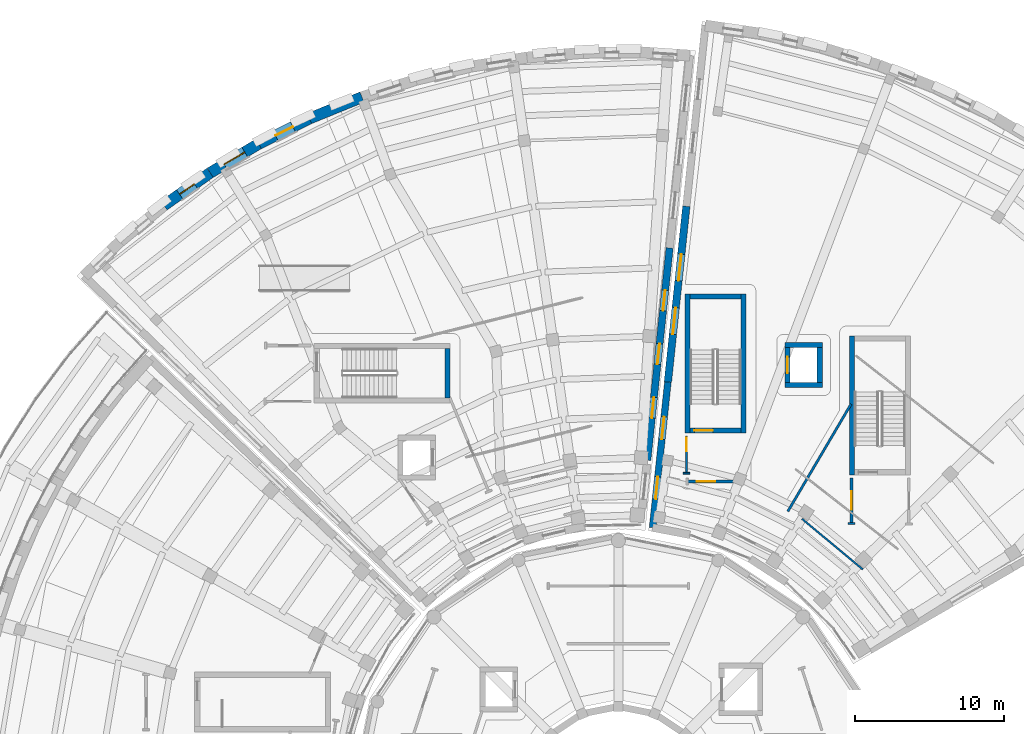
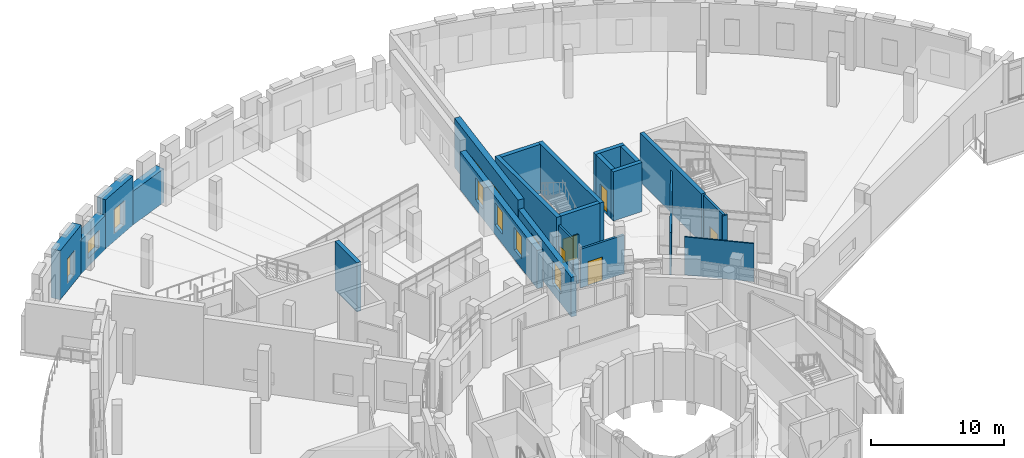
# One storey, part 56 of 75: 24 walls, 10 windows, 5 doors, 15 openings.
"""IFC4 building model written with IfcOpenShell, lengths in metres."""

from ifc_helpers import new_model, si_unit, direction, frame, frame_2d, origin, place, context, subcontext, project, spatial, rectangle, extrude, material, layer, layer_set, type_object, element, fill, save


model = new_model("IFC4")

# Units and contexts
model_context = context("Model", 3, precision=1e-05, world=origin(), true_north=direction((0.0, 1.0)))
body_context = subcontext(model_context, "Body", "Model", "MODEL_VIEW")
ifc_project = project(units=[si_unit("LENGTHUNIT", "METRE"), si_unit("AREAUNIT", "SQUARE_METRE"), si_unit("VOLUMEUNIT", "CUBIC_METRE"), si_unit("PLANEANGLEUNIT", "RADIAN"), si_unit("MASSUNIT", "GRAM", prefix="KILO")], contexts=[model_context])

# Site, building, storey
site_placement = place(None, origin())
site = spatial("IfcSite", under=ifc_project, at=site_placement, CompositionType="ELEMENT")
building_placement = place(site_placement, origin())
building = spatial("IfcBuilding", under=site, at=building_placement, Name="Soyqirgoq Riverine Aquarium", CompositionType="ELEMENT")
storey_placement = place(building_placement, frame((0.0, 0.0, 10.199951171875)))
storey = spatial("IfcBuildingStorey", under=building, at=storey_placement, Name="L03", CompositionType="ELEMENT", Elevation=10.199951171875)

# Walls
ifc_material_1 = material(Name="Concrete C40/50", Category="concrete")
ifc_layer_1 = layer(ifc_material_1, 0.35009765625)
ifc_layer_set_1 = layer_set([ifc_layer_1], Name="Concrete C40/50")
wall_type_1 = type_object("IfcWallType", Name="CoreShearWall_350_C40", PredefinedType="SHEAR", material=ifc_layer_set_1)
wall_1_placement = place(storey_placement, frame((44.574951171875, 84.0, 0.0), z_axis=(0.0, 0.0, 1.0), x_axis=(0.0, 1.0, 0.0)))
element("IfcWall", 1, at=wall_1_placement, inside=storey, type_object=wall_type_1, Name="CORE-4 L03 Stair Core Shear Wall BACK", PredefinedType="SHEAR", context=body_context, shape_type="SweptSolid", body=[
    extrude(rectangle(XDim=3.300048828125, YDim=0.35009765625, at=frame_2d((1.64990234375, 0.0))), origin(), (0.0, 0.0, 1.0), 4.52001953125),
])
wall_2_placement = place(storey_placement, frame((64.375, 81.64990234375, 0.0), z_axis=(0.0, 0.0, 1.0), x_axis=(0.0, 1.0, 0.0)))
element("IfcWall", 2, at=wall_2_placement, inside=storey, type_object=wall_type_1, Name="CORE-5A L03 Stair Core Shear Wall SIDE1", PredefinedType="SHEAR", context=body_context, shape_type="SweptSolid", body=[
    extrude(rectangle(XDim=9.300048828125, YDim=0.35009765625, at=frame_2d((4.64990234375, 0.0))), origin(), (0.0, 0.0, 1.0), 4.52001953125),
])
wall_3_placement = place(storey_placement, frame((64.199951171875, 90.77490234375, 0.0), z_axis=(0.0, 0.0, 1.0), x_axis=(-1.0, 0.0, 0.0)))
element("IfcWall", 3, at=wall_3_placement, inside=storey, type_object=wall_type_1, Name="CORE-5A L03 Stair Core Shear Wall BACK", PredefinedType="SHEAR", context=body_context, shape_type="SweptSolid", body=[
    extrude(rectangle(XDim=3.39990234375, YDim=0.35009765625, at=frame_2d((1.699951171875, 0.0))), origin(), (0.0, 0.0, 1.0), 4.52001953125),
])
wall_4_placement = place(storey_placement, frame((60.625, 90.949951171875, 0.0), z_axis=(0.0, 0.0, 1.0), x_axis=(0.0, -1.0, 0.0)))
element("IfcWall", 4, at=wall_4_placement, inside=storey, type_object=wall_type_1, Name="CORE-5A L03 Stair Core Shear Wall SIDE2", PredefinedType="SHEAR", context=body_context, shape_type="SweptSolid", body=[
    extrude(rectangle(XDim=9.300048828125, YDim=0.35009765625, at=frame_2d((4.64990234375, 0.0))), origin(), (0.0, 0.0, 1.0), 4.52001953125),
])

# Wall, opening, door
wall_5_placement = place(storey_placement, frame((60.800048828125, 81.824951171875, 0.0), z_axis=(0.0, 0.0, 1.0), x_axis=(1.0, 0.0, 0.0)))
wall_5 = element("IfcWall", 5, at=wall_5_placement, inside=storey, type_object=wall_type_1, Name="CORE-5A L03 Stair Core Shear Wall FRONT", PredefinedType="SHEAR", context=body_context, shape_type="SweptSolid", body=[
    extrude(rectangle(XDim=3.39990234375, YDim=0.35009765625, at=frame_2d((1.699951171875, 0.0))), origin(), (0.0, 0.0, 1.0), 4.52001953125),
])
opening_1_placement = place(wall_5_placement, frame((0.280029296875, 0.0, 0.0)))
opening_1 = element("IfcOpeningElement", 6, at=opening_1_placement, cuts=wall_5, Name="Opening FD-01", PredefinedType="OPENING", context=body_context, shape_type="SweptSolid", body=[
    extrude(rectangle(XDim=1.25, YDim=2.199951171875, at=frame_2d((0.625, 1.10009765625))), frame((0.0, 0.18505859375, 0.0), z_axis=(0.0, -1.0, 0.0), x_axis=(1.0, 0.0, 0.0)), (0.0, 0.0, 1.0), 0.3701171875),
])
ifc_material_2 = material(Name="Galvanised steel fire-resisting stair door", Category="steel")
door_type_1 = type_object("IfcDoorType", Name="StairFireDoor_1250x2200_EI90", OperationType="NOTDEFINED", PredefinedType="DOOR", material=ifc_material_2)
door_1_placement = place(opening_1_placement, origin())
door_1 = element("IfcDoor", 7, at=door_1_placement, inside=storey, type_object=door_type_1, Name="DR-ST-5-L03 ST-5 L03 Fire-Rated Stairwell Door", OperationType="SINGLE_SWING_RIGHT", OverallHeight=2.199951171875, OverallWidth=1.25, PredefinedType="DOOR", context=body_context, shape_type="SweptSolid", body=[
    extrude(rectangle(XDim=1.25, YDim=2.199951171875, at=frame_2d((0.625, 1.10009765625))), frame((0.0, 0.02490234375, 0.0), z_axis=(0.0, -1.0, 0.0), x_axis=(1.0, 0.0, 0.0)), (0.0, 0.0, 1.0), 0.050048828125),
])
fill(opening_1, door_1)

# Walls
wall_6_placement = place(storey_placement, frame((67.14501953125, 84.8701171875, 0.0), z_axis=(0.0, 0.0, 1.0), x_axis=(1.0, 0.0, 0.0)))
element("IfcWall", 8, at=wall_6_placement, inside=storey, type_object=wall_type_1, Name="Lift PL-5 Shaft Wall L03 1", PredefinedType="SHEAR", context=body_context, shape_type="SweptSolid", body=[
    extrude(rectangle(XDim=2.510009765625, YDim=0.35009765625, at=frame_2d((1.2548828125, 0.0))), origin(), (0.0, 0.0, 1.0), 4.52001953125),
])
wall_7_placement = place(storey_placement, frame((69.47998046875, 85.044921875, 0.0), z_axis=(0.0, 0.0, 1.0), x_axis=(0.0, 1.0, 0.0)))
element("IfcWall", 9, at=wall_7_placement, inside=storey, type_object=wall_type_1, Name="Lift PL-5 Shaft Wall L03 2", PredefinedType="SHEAR", context=body_context, shape_type="SweptSolid", body=[
    extrude(rectangle(XDim=2.31005859375, YDim=0.35009765625, at=frame_2d((1.155029296875, 0.0))), origin(), (0.0, 0.0, 1.0), 4.52001953125),
])
wall_8_placement = place(storey_placement, frame((69.655029296875, 87.530029296875, 0.0), z_axis=(0.0, 0.0, 1.0), x_axis=(-1.0, 0.0, 0.0)))
element("IfcWall", 10, at=wall_8_placement, inside=storey, type_object=wall_type_1, Name="Lift PL-5 Shaft Wall L03 3", PredefinedType="SHEAR", context=body_context, shape_type="SweptSolid", body=[
    extrude(rectangle(XDim=2.510009765625, YDim=0.35009765625, at=frame_2d((1.2548828125, 0.0))), origin(), (0.0, 0.0, 1.0), 4.52001953125),
])

# Wall, opening, door
wall_9_placement = place(storey_placement, frame((67.320068359375, 87.35498046875, 0.0), z_axis=(0.0, 0.0, 1.0), x_axis=(0.0, -1.0, 0.0)))
wall_9 = element("IfcWall", 11, at=wall_9_placement, inside=storey, type_object=wall_type_1, Name="Lift PL-5 Shaft Wall L03 4", PredefinedType="SHEAR", context=body_context, shape_type="SweptSolid", body=[
    extrude(rectangle(XDim=2.31005859375, YDim=0.35009765625, at=frame_2d((1.155029296875, 0.0))), origin(), (0.0, 0.0, 1.0), 4.52001953125),
])
opening_2_placement = place(wall_9_placement, frame((0.60498046875, 0.0, 0.0)))
opening_2 = element("IfcOpeningElement", 12, at=opening_2_placement, cuts=wall_9, Name="Opening LD-01", PredefinedType="OPENING", context=body_context, shape_type="SweptSolid", body=[
    extrude(rectangle(XDim=1.10009765625, YDim=2.199951171875, at=frame_2d((0.550048828125, 1.10009765625))), frame((0.0, 0.18505859375, 0.0), z_axis=(0.0, -1.0, 0.0), x_axis=(1.0, 0.0, 0.0)), (0.0, 0.0, 1.0), 0.3701171875),
])
ifc_material_3 = material(Name="Brushed stainless steel telescopic lift landing door", Category="steel")
door_type_2 = type_object("IfcDoorType", Name="LiftLandingDoor_1100x2200", OperationType="SLIDING_TO_LEFT", PredefinedType="DOOR", material=ifc_material_3)
door_2_placement = place(opening_2_placement, origin())
door_2 = element("IfcDoor", 13, at=door_2_placement, inside=storey, type_object=door_type_2, Name="LD-PL-5-L03 Lift PL-5 L03 Sliding Landing Door", OperationType="SLIDING_TO_LEFT", OverallHeight=2.199951171875, OverallWidth=1.10009765625, PredefinedType="DOOR", context=body_context, shape_type="SweptSolid", body=[
    extrude(rectangle(XDim=1.10009765625, YDim=2.199951171875, at=frame_2d((0.550048828125, 1.10009765625))), frame((0.0, 0.02490234375, 0.0), z_axis=(0.0, -1.0, 0.0), x_axis=(1.0, 0.0, 0.0)), (0.0, 0.0, 1.0), 0.050048828125),
])
fill(opening_2, door_2)

# Walls
wall_10_placement = place(storey_placement, frame((71.625, 88.14990234375, 0.0), z_axis=(0.0, 0.0, 1.0), x_axis=(0.0, -1.0, 0.0)))
element("IfcWall", 14, at=wall_10_placement, inside=storey, type_object=wall_type_1, Name="CORE-5B L03 Stair Core Shear Wall SIDE2", PredefinedType="SHEAR", context=body_context, shape_type="SweptSolid", body=[
    extrude(rectangle(XDim=9.2998046875, YDim=0.35009765625, at=frame_2d((4.64990234375, 0.0))), origin(), (0.0, 0.0, 1.0), 4.52001953125),
])
ifc_material_4 = material(Name="Lightweight steel-stud gypsum partition", Category="steel")
ifc_layer_2 = layer(ifc_material_4, 0.1201171875)
ifc_layer_set_2 = layer_set([ifc_layer_2], Name="Lightweight steel-stud gypsum partition")
wall_type_2 = type_object("IfcWallType", Name="PartitionWall_120_Std", PredefinedType="PARTITIONING", material=ifc_layer_set_2)
wall_11_placement = place(storey_placement, frame((72.357177734375, 72.5224609375, 0.0), z_axis=(0.0, 0.0, 1.0), x_axis=(-0.768847565949, 0.639432107682, 0.0)))
element("IfcWall", 15, at=wall_11_placement, inside=storey, type_object=wall_type_2, Name="V5 Gallery Circulation Corridor Partition Wall", PredefinedType="PARTITIONING", context=body_context, shape_type="SweptSolid", body=[
    extrude(rectangle(XDim=5.301025390625, YDim=0.1201171875, at=frame_2d((2.650390625, 0.0))), origin(), (0.0, 0.0, 1.0), 3.510009765625),
])
wall_12_placement = place(storey_placement, frame((71.3798828125, 75.60009765625, 0.0), z_axis=(0.0, 0.0, 1.0), x_axis=(1.0, 0.0, 0.0)))
element("IfcWall", 16, at=wall_12_placement, inside=storey, type_object=wall_type_2, Name="V5 L03 Jamb Return Pier", PredefinedType="PARTITIONING", context=body_context, shape_type="SweptSolid", body=[
    extrude(rectangle(XDim=0.440185546875, YDim=0.1201171875, at=frame_2d((0.22021484375, 0.0))), origin(), (0.0, 0.0, 1.0), 4.52001953125),
])
wall_13_placement = place(storey_placement, frame((60.780029296875, 78.958740234375, 0.0), z_axis=(0.0, 0.0, 1.0), x_axis=(-1.0, 0.0, 0.0)))
element("IfcWall", 17, at=wall_13_placement, inside=storey, type_object=wall_type_2, Name="V5 L03 Jamb Return Pier", PredefinedType="PARTITIONING", context=body_context, shape_type="SweptSolid", body=[
    extrude(rectangle(XDim=0.43994140625, YDim=0.1201171875, at=frame_2d((0.219970703125, 0.0))), origin(), (0.0, 0.0, 1.0), 4.52001953125),
])

# Wall, opening, door
ifc_material_5 = material(Name="Fire-rated acoustic gypsum stud partition", Category="gypsum")
ifc_layer_3 = layer(ifc_material_5, 0.159912109375)
ifc_layer_set_3 = layer_set([ifc_layer_3], Name="Fire-rated acoustic gypsum stud partition")
wall_type_3 = type_object("IfcWallType", Name="PartitionWall_160_EI60", PredefinedType="PARTITIONING", material=ifc_layer_set_3)
wall_14_placement = place(storey_placement, frame((60.56005859375, 78.958740234375, 0.0), z_axis=(0.0, 0.0, 1.0), x_axis=(0.0, 1.0, 0.0)))
wall_14 = element("IfcWall", 18, at=wall_14_placement, inside=storey, type_object=wall_type_3, Name="Ichthyology Taxonomy Laboratory Partition Wall", PredefinedType="PARTITIONING", context=body_context, shape_type="SweptSolid", body=[
    extrude(rectangle(XDim=2.4912109375, YDim=0.159912109375, at=frame_2d((1.24560546875, 0.0))), origin(), (0.0, 0.0, 1.0), 3.91015625),
])
opening_3_placement = place(wall_14_placement, frame((1.4638671875, 0.0, 0.0)))
opening_3 = element("IfcOpeningElement", 19, at=opening_3_placement, cuts=wall_14, Name="Opening RD-01", PredefinedType="OPENING", context=body_context, shape_type="SweptSolid", body=[
    extrude(rectangle(XDim=0.89990234375, YDim=2.10009765625, at=frame_2d((0.449951171875, 1.050048828125))), frame((0.0, 0.08984375, 0.0), z_axis=(0.0, -1.0, 0.0), x_axis=(1.0, 0.0, 0.0)), (0.0, 0.0, 1.0), 0.179931640625),
])
ifc_material_6 = material(Name="Flush steel service riser fire door", Category="steel")
door_type_3 = type_object("IfcDoorType", Name="RiserAccessDoor_900x2100_EI60", OperationType="NOTDEFINED", PredefinedType="DOOR", material=ifc_material_6)
door_3_placement = place(opening_3_placement, origin())
door_3 = element("IfcDoor", 20, at=door_3_placement, inside=storey, type_object=door_type_3, Name="IDR-V5-L03-0153 Ichthyology Taxonomy Laboratory Door", OperationType="SINGLE_SWING_LEFT", OverallHeight=2.10009765625, OverallWidth=0.89990234375, PredefinedType="DOOR", context=body_context, shape_type="SweptSolid", body=[
    extrude(rectangle(XDim=0.89990234375, YDim=2.10009765625, at=frame_2d((0.449951171875, 1.050048828125))), frame((0.0, 0.02490234375, 0.0), z_axis=(0.0, -1.0, 0.0), x_axis=(1.0, 0.0, 0.0)), (0.0, 0.0, 1.0), 0.050048828125),
])
fill(opening_3, door_3)

# Wall
wall_15_placement = place(storey_placement, frame((67.34033203125, 76.40966796875, 0.0), z_axis=(0.0, 0.0, 1.0), x_axis=(0.507554651223, 0.861619565714, 0.0)))
element("IfcWall", 21, at=wall_15_placement, inside=storey, type_object=wall_type_3, Name="Ichthyology Taxonomy Laboratory Partition Wall", PredefinedType="PARTITIONING", context=body_context, shape_type="SweptSolid", body=[
    extrude(rectangle(XDim=8.322021484375, YDim=0.159912109375, at=frame_2d((4.1611328125, 0.0))), origin(), (0.0, 0.0, 1.0), 3.91015625),
])

# Wall, opening, door
ifc_material_7 = material(Name="Fire-rated calcium silicate twin-stud partition", Category="gypsum")
ifc_layer_4 = layer(ifc_material_7, 0.199951171875)
ifc_layer_set_4 = layer_set([ifc_layer_4], Name="Fire-rated calcium silicate twin-stud partition")
wall_type_4 = type_object("IfcWallType", Name="PartitionWall_200_EI90", PredefinedType="PARTITIONING", material=ifc_layer_set_4)
wall_16_placement = place(storey_placement, frame((60.60009765625, 78.39990234375, 0.0), z_axis=(0.0, 0.0, 1.0), x_axis=(1.0, 0.0, 0.0)))
wall_16 = element("IfcWall", 22, at=wall_16_placement, inside=storey, type_object=wall_type_4, Name="Lift and Stair Lobby ST-5 Fire Enclosure Wall", PredefinedType="PARTITIONING", context=body_context, shape_type="SweptSolid", body=[
    extrude(rectangle(XDim=3.7998046875, YDim=0.199951171875, at=frame_2d((1.89990234375, 0.0))), origin(), (0.0, 0.0, 1.0), 3.56005859375),
])
opening_4_placement = place(wall_16_placement, frame((0.637451171875, 0.0, 0.0)))
opening_4 = element("IfcOpeningElement", 23, at=opening_4_placement, cuts=wall_16, Name="Opening FD-01", PredefinedType="OPENING", context=body_context, shape_type="SweptSolid", body=[
    extrude(rectangle(XDim=1.25, YDim=2.199951171875, at=frame_2d((0.625, 1.10009765625))), frame((0.0, 0.10986328125, 0.0), z_axis=(0.0, -1.0, 0.0), x_axis=(1.0, 0.0, 0.0)), (0.0, 0.0, 1.0), 0.219970703125),
])
door_4_placement = place(opening_4_placement, origin())
door_4 = element("IfcDoor", 24, at=door_4_placement, inside=storey, type_object=door_type_1, Name="IDR-V5-L03-0150 Lift and Stair Lobby ST-5 Egress Fire Door", OperationType="SINGLE_SWING_LEFT", OverallHeight=2.199951171875, OverallWidth=1.25, PredefinedType="DOOR", context=body_context, shape_type="SweptSolid", body=[
    extrude(rectangle(XDim=1.25, YDim=2.199951171875, at=frame_2d((0.625, 1.10009765625))), frame((0.0, 0.02490234375, 0.0), z_axis=(0.0, -1.0, 0.0), x_axis=(1.0, 0.0, 0.0)), (0.0, 0.0, 1.0), 0.050048828125),
])
fill(opening_4, door_4)

wall_17_placement = place(storey_placement, frame((71.60009765625, 78.64990234375, 0.0), z_axis=(0.0, 0.0, 1.0), x_axis=(0.0, -1.0, 0.0)))
wall_17 = element("IfcWall", 25, at=wall_17_placement, inside=storey, type_object=wall_type_4, Name="Lift and Stair Lobby ST-6 Fire Enclosure Wall", PredefinedType="PARTITIONING", context=body_context, shape_type="SweptSolid", body=[
    extrude(rectangle(XDim=3.0498046875, YDim=0.199951171875, at=frame_2d((1.52490234375, 0.0))), origin(), (0.0, 0.0, 1.0), 4.52001953125),
])
opening_5_placement = place(wall_17_placement, frame((0.89990234375, 0.0, 0.0)))
opening_5 = element("IfcOpeningElement", 26, at=opening_5_placement, cuts=wall_17, Name="Opening FD-01", PredefinedType="OPENING", context=body_context, shape_type="SweptSolid", body=[
    extrude(rectangle(XDim=1.25, YDim=2.199951171875, at=frame_2d((0.625, 1.10009765625))), frame((0.0, 0.10986328125, 0.0), z_axis=(0.0, -1.0, 0.0), x_axis=(1.0, 0.0, 0.0)), (0.0, 0.0, 1.0), 0.219970703125),
])
door_5_placement = place(opening_5_placement, origin())
door_5 = element("IfcDoor", 27, at=door_5_placement, inside=storey, type_object=door_type_1, Name="IDR-V5-L03-0151 Lift and Stair Lobby ST-6 Egress Fire Door", OperationType="SINGLE_SWING_LEFT", OverallHeight=2.199951171875, OverallWidth=1.25, PredefinedType="DOOR", context=body_context, shape_type="SweptSolid", body=[
    extrude(rectangle(XDim=1.25, YDim=2.199951171875, at=frame_2d((0.625, 1.10009765625))), frame((0.0, 0.02490234375, 0.0), z_axis=(0.0, -1.0, 0.0), x_axis=(1.0, 0.0, 0.0)), (0.0, 0.0, 1.0), 0.050048828125),
])
fill(opening_5, door_5)

# Wall, openings, windows
ifc_material_8 = material(Name="Honed travertine limestone cavity wall", Category="masonry")
ifc_layer_5 = layer(ifc_material_8, 0.449951171875)
ifc_layer_set_5 = layer_set([ifc_layer_5], Name="Honed travertine limestone cavity wall")
wall_type_5 = type_object("IfcWallType", Name="TravertineCavityWall_450", PredefinedType="SOLIDWALL", material=ifc_layer_set_5)
wall_18_placement = place(storey_placement, frame((58.287353515625, 75.3173828125, 0.0), z_axis=(0.0, 0.0, 1.0), x_axis=(0.104523915148, 0.994522373384, 0.0)))
wall_18 = element("IfcWall", 28, at=wall_18_placement, inside=storey, type_object=wall_type_5, Name="V5 L03 Exterior Travertine Wall 0283", PredefinedType="SOLIDWALL", context=body_context, shape_type="SweptSolid", body=[
    extrude(rectangle(XDim=9.796142578125, YDim=0.449951171875, at=frame_2d((4.89794921875, 0.0))), origin(), (0.0, 0.0, 1.0), 3.66015625),
])
opening_6_placement = place(wall_18_placement, frame((1.927978515625, 0.0, 0.89990234375)))
opening_6 = element("IfcOpeningElement", 29, at=opening_6_placement, cuts=wall_18, Name="Opening WN-04", PredefinedType="OPENING", context=body_context, shape_type="SweptSolid", body=[
    extrude(rectangle(XDim=1.5, YDim=2.10009765625, at=frame_2d((0.75, 1.050048828125))), frame((0.0, 0.23486328125, 0.0), z_axis=(0.0, -1.0, 0.0), x_axis=(1.0, 0.0, 0.0)), (0.0, 0.0, 1.0), 0.469970703125),
])
opening_7_placement = place(wall_18_placement, frame((5.947998046875, 0.0, 0.89990234375)))
opening_7 = element("IfcOpeningElement", 30, at=opening_7_placement, cuts=wall_18, Name="Opening WN-04", PredefinedType="OPENING", context=body_context, shape_type="SweptSolid", body=[
    extrude(rectangle(XDim=1.5, YDim=2.10009765625, at=frame_2d((0.75, 1.050048828125))), frame((0.0, 0.23486328125, 0.0), z_axis=(0.0, -1.0, 0.0), x_axis=(1.0, 0.0, 0.0)), (0.0, 0.0, 1.0), 0.469970703125),
])
ifc_material_9 = material(Name="Thermally broken aluminium triple low-E window", Category="aluminium")
window_type_1 = type_object("IfcWindowType", Name="Win_Gallery_1500x2100", PartitioningType="DOUBLE_PANEL_VERTICAL", PredefinedType="WINDOW", material=ifc_material_9)
window_1_placement = place(opening_6_placement, origin())
window_1 = element("IfcWindow", 31, at=window_1_placement, inside=storey, type_object=window_type_1, Name="V5 L03 Facade Window 0225", OverallHeight=2.10009765625, OverallWidth=1.5, PartitioningType="DOUBLE_PANEL_VERTICAL", PredefinedType="WINDOW", context=body_context, shape_type="SweptSolid", body=[
    extrude(rectangle(XDim=1.5, YDim=2.10009765625, at=frame_2d((0.75, 1.050048828125))), frame((0.0, 0.030029296875, 0.0), z_axis=(0.0, -1.0, 0.0), x_axis=(1.0, 0.0, 0.0)), (0.0, 0.0, 1.0), 0.06005859375),
])
fill(opening_6, window_1)
window_2_placement = place(opening_7_placement, origin())
window_2 = element("IfcWindow", 32, at=window_2_placement, inside=storey, type_object=window_type_1, Name="V5 L03 Facade Window 0226", OverallHeight=2.10009765625, OverallWidth=1.5, PartitioningType="DOUBLE_PANEL_VERTICAL", PredefinedType="WINDOW", context=body_context, shape_type="SweptSolid", body=[
    extrude(rectangle(XDim=1.5, YDim=2.10009765625, at=frame_2d((0.75, 1.050048828125))), frame((0.0, 0.030029296875, 0.0), z_axis=(0.0, -1.0, 0.0), x_axis=(1.0, 0.0, 0.0)), (0.0, 0.0, 1.0), 0.06005859375),
])
fill(opening_7, window_2)

ifc_material_10 = material(Name="Honed travertine limestone cavity wall", Category="masonry")
ifc_layer_6 = layer(ifc_material_10, 0.47998046875)
ifc_layer_set_6 = layer_set([ifc_layer_6], Name="Honed travertine limestone cavity wall")
wall_type_6 = type_object("IfcWallType", Name="TravertineCavityWall_480", PredefinedType="SOLIDWALL", material=ifc_layer_set_6)
wall_19_placement = place(storey_placement, frame((59.429443359375, 94.029296875, 0.0), z_axis=(0.0, 0.0, 1.0), x_axis=(-0.104535162797, -0.994521191197, 0.0)))
wall_19 = element("IfcWall", 33, at=wall_19_placement, inside=storey, type_object=wall_type_6, Name="V4 L03 Exterior Travertine Wall 0215", PredefinedType="SOLIDWALL", context=body_context, shape_type="SweptSolid", body=[
    extrude(rectangle(XDim=14.269775390625, YDim=0.47998046875, at=frame_2d((7.134765625, 0.0))), origin(), (0.0, 0.0, 1.0), 3.510009765625),
])
opening_8_placement = place(wall_19_placement, frame((2.834716796875, 0.0, 0.89990234375)))
opening_8 = element("IfcOpeningElement", 34, at=opening_8_placement, cuts=wall_19, Name="Opening WN-20", PredefinedType="OPENING", context=body_context, shape_type="SweptSolid", body=[
    extrude(rectangle(XDim=1.39990234375, YDim=2.050048828125, at=frame_2d((0.699951171875, 1.02490234375))), frame((0.0, 0.25, 0.0), z_axis=(0.0, -1.0, 0.0), x_axis=(1.0, 0.0, 0.0)), (0.0, 0.0, 1.0), 0.5),
])
opening_9_placement = place(wall_19_placement, frame((6.434814453125, 0.0, 0.89990234375)))
opening_9 = element("IfcOpeningElement", 35, at=opening_9_placement, cuts=wall_19, Name="Opening WN-20", PredefinedType="OPENING", context=body_context, shape_type="SweptSolid", body=[
    extrude(rectangle(XDim=1.39990234375, YDim=2.050048828125, at=frame_2d((0.699951171875, 1.02490234375))), frame((0.0, 0.25, 0.0), z_axis=(0.0, -1.0, 0.0), x_axis=(1.0, 0.0, 0.0)), (0.0, 0.0, 1.0), 0.5),
])
opening_10_placement = place(wall_19_placement, frame((10.034912109375, 0.0, 0.89990234375)))
opening_10 = element("IfcOpeningElement", 36, at=opening_10_placement, cuts=wall_19, Name="Opening WN-20", PredefinedType="OPENING", context=body_context, shape_type="SweptSolid", body=[
    extrude(rectangle(XDim=1.39990234375, YDim=2.050048828125, at=frame_2d((0.699951171875, 1.02490234375))), frame((0.0, 0.25, 0.0), z_axis=(0.0, -1.0, 0.0), x_axis=(1.0, 0.0, 0.0)), (0.0, 0.0, 1.0), 0.5),
])
ifc_material_11 = material(Name="Thermally broken aluminium triple low-E window", Category="aluminium")
window_type_2 = type_object("IfcWindowType", Name="Win_Gallery_1400x2050", PartitioningType="DOUBLE_PANEL_VERTICAL", PredefinedType="WINDOW", material=ifc_material_11)
window_3_placement = place(opening_8_placement, origin())
window_3 = element("IfcWindow", 37, at=window_3_placement, inside=storey, type_object=window_type_2, Name="V4 L03 Facade Window 0167", OverallHeight=2.050048828125, OverallWidth=1.39990234375, PartitioningType="DOUBLE_PANEL_VERTICAL", PredefinedType="WINDOW", context=body_context, shape_type="SweptSolid", body=[
    extrude(rectangle(XDim=1.39990234375, YDim=2.050048828125, at=frame_2d((0.699951171875, 1.02490234375))), frame((0.0, 0.030029296875, 0.0), z_axis=(0.0, -1.0, 0.0), x_axis=(1.0, 0.0, 0.0)), (0.0, 0.0, 1.0), 0.06005859375),
])
fill(opening_8, window_3)
window_4_placement = place(opening_9_placement, origin())
window_4 = element("IfcWindow", 38, at=window_4_placement, inside=storey, type_object=window_type_2, Name="V4 L03 Facade Window 0168", OverallHeight=2.050048828125, OverallWidth=1.39990234375, PartitioningType="DOUBLE_PANEL_VERTICAL", PredefinedType="WINDOW", context=body_context, shape_type="SweptSolid", body=[
    extrude(rectangle(XDim=1.39990234375, YDim=2.050048828125, at=frame_2d((0.699951171875, 1.02490234375))), frame((0.0, 0.030029296875, 0.0), z_axis=(0.0, -1.0, 0.0), x_axis=(1.0, 0.0, 0.0)), (0.0, 0.0, 1.0), 0.06005859375),
])
fill(opening_9, window_4)
window_5_placement = place(opening_10_placement, origin())
window_5 = element("IfcWindow", 39, at=window_5_placement, inside=storey, type_object=window_type_2, Name="V4 L03 Facade Window 0169", OverallHeight=2.050048828125, OverallWidth=1.39990234375, PartitioningType="DOUBLE_PANEL_VERTICAL", PredefinedType="WINDOW", context=body_context, shape_type="SweptSolid", body=[
    extrude(rectangle(XDim=1.39990234375, YDim=2.050048828125, at=frame_2d((0.699951171875, 1.02490234375))), frame((0.0, 0.030029296875, 0.0), z_axis=(0.0, -1.0, 0.0), x_axis=(1.0, 0.0, 0.0)), (0.0, 0.0, 1.0), 0.06005859375),
])
fill(opening_10, window_5)

ifc_material_12 = material(Name="Honed travertine limestone cavity wall", Category="masonry")
ifc_layer_7 = layer(ifc_material_12, 0.5)
ifc_layer_set_7 = layer_set([ifc_layer_7], Name="Honed travertine limestone cavity wall")
wall_type_7 = type_object("IfcWallType", Name="TravertineCavityWall_500", PredefinedType="SOLIDWALL", material=ifc_layer_set_7)
wall_20_placement = place(storey_placement, frame((59.311279296875, 85.059814453125, 0.0), z_axis=(0.0, 0.0, 1.0), x_axis=(0.104529993567, 0.994521734526, 0.0)))
wall_20 = element("IfcWall", 40, at=wall_20_placement, inside=storey, type_object=wall_type_7, Name="V5 L03 Exterior Travertine Wall 0284", PredefinedType="SOLIDWALL", context=body_context, shape_type="SweptSolid", body=[
    extrude(rectangle(XDim=11.82275390625, YDim=0.5, at=frame_2d((5.911376953125, 0.0))), origin(), (0.0, 0.0, 1.0), 4.52001953125),
])
opening_11_placement = place(wall_20_placement, frame((3.21142578125, 0.0, 0.89990234375)))
opening_11 = element("IfcOpeningElement", 41, at=opening_11_placement, cuts=wall_20, Name="Opening WN-05", PredefinedType="OPENING", context=body_context, shape_type="SweptSolid", body=[
    extrude(rectangle(XDim=1.800048828125, YDim=2.10009765625, at=frame_2d((0.89990234375, 1.050048828125))), frame((0.0, 0.260009765625, 0.0), z_axis=(0.0, -1.0, 0.0), x_axis=(1.0, 0.0, 0.0)), (0.0, 0.0, 1.0), 0.52001953125),
])
opening_12_placement = place(wall_20_placement, frame((6.811279296875, 0.0, 0.89990234375)))
opening_12 = element("IfcOpeningElement", 42, at=opening_12_placement, cuts=wall_20, Name="Opening WN-05", PredefinedType="OPENING", context=body_context, shape_type="SweptSolid", body=[
    extrude(rectangle(XDim=1.800048828125, YDim=2.10009765625, at=frame_2d((0.89990234375, 1.050048828125))), frame((0.0, 0.260009765625, 0.0), z_axis=(0.0, -1.0, 0.0), x_axis=(1.0, 0.0, 0.0)), (0.0, 0.0, 1.0), 0.52001953125),
])
ifc_material_13 = material(Name="Thermally broken aluminium triple low-E window", Category="aluminium")
window_type_3 = type_object("IfcWindowType", Name="Win_Gallery_1800x2100", PartitioningType="DOUBLE_PANEL_VERTICAL", PredefinedType="WINDOW", material=ifc_material_13)
window_6_placement = place(opening_11_placement, origin())
window_6 = element("IfcWindow", 43, at=window_6_placement, inside=storey, type_object=window_type_3, Name="V5 L03 Facade Window 0227", OverallHeight=2.10009765625, OverallWidth=1.800048828125, PartitioningType="DOUBLE_PANEL_VERTICAL", PredefinedType="WINDOW", context=body_context, shape_type="SweptSolid", body=[
    extrude(rectangle(XDim=1.800048828125, YDim=2.10009765625, at=frame_2d((0.89990234375, 1.050048828125))), frame((0.0, 0.030029296875, 0.0), z_axis=(0.0, -1.0, 0.0), x_axis=(1.0, 0.0, 0.0)), (0.0, 0.0, 1.0), 0.06005859375),
])
fill(opening_11, window_6)
window_7_placement = place(opening_12_placement, origin())
window_7 = element("IfcWindow", 44, at=window_7_placement, inside=storey, type_object=window_type_3, Name="V5 L03 Facade Window 0228", OverallHeight=2.10009765625, OverallWidth=1.800048828125, PartitioningType="DOUBLE_PANEL_VERTICAL", PredefinedType="WINDOW", context=body_context, shape_type="SweptSolid", body=[
    extrude(rectangle(XDim=1.800048828125, YDim=2.10009765625, at=frame_2d((0.89990234375, 1.050048828125))), frame((0.0, 0.030029296875, 0.0), z_axis=(0.0, -1.0, 0.0), x_axis=(1.0, 0.0, 0.0)), (0.0, 0.0, 1.0), 0.06005859375),
])
fill(opening_12, window_7)

# Wall, opening, window
ifc_material_14 = material(Name="Honed travertine limestone cavity wall", Category="masonry")
ifc_layer_8 = layer(ifc_material_14, 0.75)
ifc_layer_set_8 = layer_set([ifc_layer_8], Name="Honed travertine limestone cavity wall")
wall_type_8 = type_object("IfcWallType", Name="TravertineNicheWall_750", PredefinedType="SOLIDWALL", material=ifc_layer_set_8)
wall_21_placement = place(storey_placement, frame((25.586669921875, 96.875, 0.0), z_axis=(0.0, 0.0, 1.0), x_axis=(0.817470720904, 0.57597015588, 0.0)))
wall_21 = element("IfcWall", 45, at=wall_21_placement, inside=storey, type_object=wall_type_8, Name="V4 L03 Exterior Travertine Wall 0204", PredefinedType="SOLIDWALL", context=body_context, shape_type="SweptSolid", body=[
    extrude(rectangle(XDim=3.7919921875, YDim=0.75, at=frame_2d((1.89599609375, 0.0))), origin(), (0.0, 0.0, 1.0), 4.52001953125),
])
opening_13_placement = place(wall_21_placement, frame((1.2958984375, 0.0, 0.75)))
opening_13 = element("IfcOpeningElement", 46, at=opening_13_placement, cuts=wall_21, Name="Opening WN-03", PredefinedType="OPENING", context=body_context, shape_type="SweptSolid", body=[
    extrude(rectangle(XDim=1.199951171875, YDim=2.199951171875, at=frame_2d((0.60009765625, 1.10009765625))), frame((0.0, 0.385009765625, 0.0), z_axis=(0.0, -1.0, 0.0), x_axis=(1.0, 0.0, 0.0)), (0.0, 0.0, 1.0), 0.77001953125),
])
ifc_material_15 = material(Name="Thermally broken aluminium triple low-E window", Category="aluminium")
window_type_4 = type_object("IfcWindowType", Name="Win_Niche_1200x2200", PartitioningType="DOUBLE_PANEL_VERTICAL", PredefinedType="WINDOW", material=ifc_material_15)
window_8_placement = place(opening_13_placement, origin())
window_8 = element("IfcWindow", 47, at=window_8_placement, inside=storey, type_object=window_type_4, Name="V4 L03 Facade Window 0155", OverallHeight=2.199951171875, OverallWidth=1.199951171875, PartitioningType="DOUBLE_PANEL_VERTICAL", PredefinedType="WINDOW", context=body_context, shape_type="SweptSolid", body=[
    extrude(rectangle(XDim=1.199951171875, YDim=2.199951171875, at=frame_2d((0.60009765625, 1.10009765625))), frame((0.0, 0.030029296875, 0.0), z_axis=(0.0, -1.0, 0.0), x_axis=(1.0, 0.0, 0.0)), (0.0, 0.0, 1.0), 0.06005859375),
])
fill(opening_13, window_8)

wall_22_placement = place(storey_placement, frame((28.6865234375, 99.05908203125, 0.0), z_axis=(0.0, 0.0, 1.0), x_axis=(0.858644028079, 0.512572368592, 0.0)))
wall_22 = element("IfcWall", 48, at=wall_22_placement, inside=storey, type_object=wall_type_8, Name="V4 L03 Exterior Travertine Wall 0205", PredefinedType="SOLIDWALL", context=body_context, shape_type="SweptSolid", body=[
    extrude(rectangle(XDim=3.791748046875, YDim=0.75, at=frame_2d((1.89599609375, 0.0))), origin(), (0.0, 0.0, 1.0), 3.110107421875),
])
opening_14_placement = place(wall_22_placement, frame((1.095947265625, 0.0, 0.75)))
opening_14 = element("IfcOpeningElement", 49, at=opening_14_placement, cuts=wall_22, Name="Opening WN-06", PredefinedType="OPENING", context=body_context, shape_type="SweptSolid", body=[
    extrude(rectangle(XDim=1.60009765625, YDim=1.60009765625, at=frame_2d((0.800048828125, 0.800048828125))), frame((0.0, 0.385009765625, 0.0), z_axis=(0.0, -1.0, 0.0), x_axis=(1.0, 0.0, 0.0)), (0.0, 0.0, 1.0), 0.77001953125),
])
ifc_material_16 = material(Name="Thermally broken aluminium triple low-E window", Category="aluminium")
window_type_5 = type_object("IfcWindowType", Name="Win_Lab_1600x1600", PartitioningType="DOUBLE_PANEL_VERTICAL", PredefinedType="WINDOW", material=ifc_material_16)
window_9_placement = place(opening_14_placement, origin())
window_9 = element("IfcWindow", 50, at=window_9_placement, inside=storey, type_object=window_type_5, Name="V4 L03 Facade Window 0156", OverallHeight=1.60009765625, OverallWidth=1.60009765625, PartitioningType="DOUBLE_PANEL_VERTICAL", PredefinedType="WINDOW", context=body_context, shape_type="SweptSolid", body=[
    extrude(rectangle(XDim=1.60009765625, YDim=1.60009765625, at=frame_2d((0.800048828125, 0.800048828125))), frame((0.0, 0.030029296875, 0.0), z_axis=(0.0, -1.0, 0.0), x_axis=(1.0, 0.0, 0.0)), (0.0, 0.0, 1.0), 0.06005859375),
])
fill(opening_14, window_9)

wall_23_placement = place(storey_placement, frame((31.9423828125, 101.002685546875, 0.0), z_axis=(0.0, 0.0, 1.0), x_axis=(0.89495448859, 0.446157442337, 0.0)))
wall_23 = element("IfcWall", 51, at=wall_23_placement, inside=storey, type_object=wall_type_8, Name="V4 L03 Exterior Travertine Wall 0206", PredefinedType="SOLIDWALL", context=body_context, shape_type="SweptSolid", body=[
    extrude(rectangle(XDim=3.792236328125, YDim=0.75, at=frame_2d((1.89599609375, 0.0))), origin(), (0.0, 0.0, 1.0), 4.52001953125),
])
opening_15_placement = place(wall_23_placement, frame((1.24609375, 0.0, 0.75)))
opening_15 = element("IfcOpeningElement", 52, at=opening_15_placement, cuts=wall_23, Name="Opening WN-12", PredefinedType="OPENING", context=body_context, shape_type="SweptSolid", body=[
    extrude(rectangle(XDim=1.300048828125, YDim=2.199951171875, at=frame_2d((0.64990234375, 1.10009765625))), frame((0.0, 0.385009765625, 0.0), z_axis=(0.0, -1.0, 0.0), x_axis=(1.0, 0.0, 0.0)), (0.0, 0.0, 1.0), 0.77001953125),
])
ifc_material_17 = material(Name="Thermally broken aluminium triple low-E window", Category="aluminium")
window_type_6 = type_object("IfcWindowType", Name="Win_Niche_1300x2200", PartitioningType="DOUBLE_PANEL_VERTICAL", PredefinedType="WINDOW", material=ifc_material_17)
window_10_placement = place(opening_15_placement, origin())
window_10 = element("IfcWindow", 53, at=window_10_placement, inside=storey, type_object=window_type_6, Name="V4 L03 Facade Window 0157", OverallHeight=2.199951171875, OverallWidth=1.300048828125, PartitioningType="DOUBLE_PANEL_VERTICAL", PredefinedType="WINDOW", context=body_context, shape_type="SweptSolid", body=[
    extrude(rectangle(XDim=1.300048828125, YDim=2.199951171875, at=frame_2d((0.64990234375, 1.10009765625))), frame((0.0, 0.030029296875, 0.0), z_axis=(0.0, -1.0, 0.0), x_axis=(1.0, 0.0, 0.0)), (0.0, 0.0, 1.0), 0.06005859375),
])
fill(opening_15, window_10)

# Wall
wall_24_placement = place(storey_placement, frame((35.336181640625, 102.694580078125, 0.0), z_axis=(0.0, 0.0, 1.0), x_axis=(0.92607319541, 0.377343923686, 0.0)))
element("IfcWall", 54, at=wall_24_placement, inside=storey, type_object=wall_type_8, Name="V4 L03 Exterior Travertine Wall 0207", PredefinedType="SOLIDWALL", context=body_context, shape_type="SweptSolid", body=[
    extrude(rectangle(XDim=3.7919921875, YDim=0.75, at=frame_2d((1.89599609375, 0.0))), origin(), (0.0, 0.0, 1.0), 3.110107421875),
])

save(model, "model.ifc")
